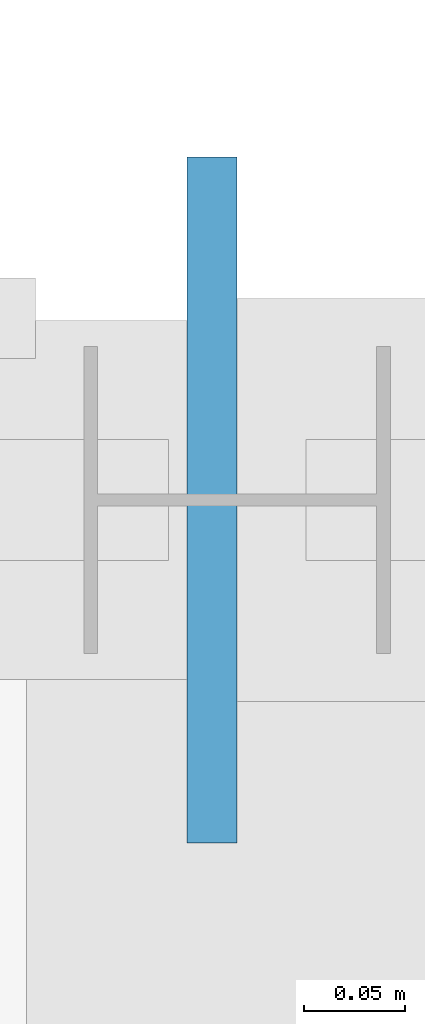
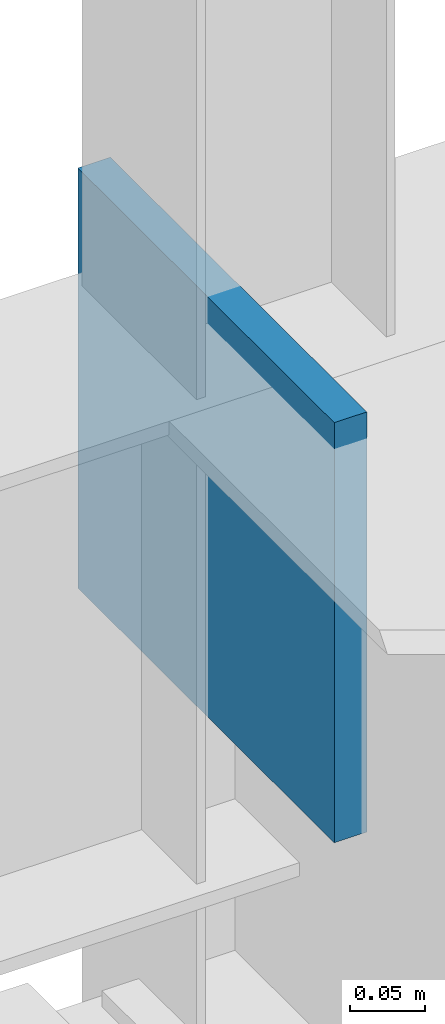
# One storey, part 175 of 226: 1 plate.
"""IFC4 building model written with IfcOpenShell, lengths in metres."""

import ifcopenshell
import ifcopenshell.guid

model = None  # the IFC model being written
_history = None  # IfcOwnerHistory: only IFC2X3 demands one
_inside = {}  # id of a spatial element -> (the spatial element, [elements in it])
_under = {}  # id of a project, library or spatial element -> (it, [spatial elements below it])
_declared = {}  # id of a project -> (the project, [libraries it declares])
_typed = {}  # id of a type object -> (the type object, [elements of that type])
_made_of = {}  # id of a material, layer set ... -> (it, [elements and type objects made of it])


def new_model(schema):
    """Start an empty IFC model of exactly this schema.

    Asked for "IFC4X3", IfcOpenShell would pick the latest addendum, in which some entities
    have other attributes; the version numbers below select the first issue.
    IFC2X3 requires an IfcOwnerHistory on every rooted entity: one is made here for all.
    """
    global model, _history
    if schema == "IFC4X3":
        model = ifcopenshell.file(schema_version=(4, 3, 0, 0))
    else:
        model = ifcopenshell.file(schema=schema)
    _inside.clear()
    _under.clear()
    _declared.clear()
    _typed.clear()
    _made_of.clear()
    _history = None
    if model.schema == "IFC2X3":
        org = make("IfcOrganization", Name="unknown")
        user = make(
            "IfcPersonAndOrganization",
            ThePerson=make("IfcPerson", FamilyName="unknown"),
            TheOrganization=org,
        )
        app = make(
            "IfcApplication",
            ApplicationDeveloper=org,
            Version="unknown",
            ApplicationFullName="unknown",
            ApplicationIdentifier="unknown",
        )
        _history = make(
            "IfcOwnerHistory",
            OwningUser=user,
            OwningApplication=app,
            ChangeAction="ADDED",
            CreationDate=0,
        )
    return model


def make(cls, **values):
    """One entity of the class cls with the attributes given. An attribute that is None is left unset."""
    return model.create_entity(
        cls, **{name: value for name, value in values.items() if value is not None}
    )


def rooted(cls, **values):
    """An entity with a GlobalId (a new one), such as an element, a storey or a relation."""
    return make(cls, GlobalId=ifcopenshell.guid.new(), OwnerHistory=_history, **values)


def si_unit(unit_type, name, prefix=None):
    """IfcSIUnit, for example si_unit("LENGTHUNIT", "METRE", prefix="MILLI")."""
    return make("IfcSIUnit", UnitType=unit_type, Prefix=prefix, Name=name)


def assignment(units):
    """IfcUnitAssignment: the units of a project."""
    return None if units is None else make("IfcUnitAssignment", Units=units)


def point(xyz):
    """IfcCartesianPoint."""
    return None if xyz is None else make("IfcCartesianPoint", Coordinates=xyz)


def direction(xyz):
    """IfcDirection."""
    return None if xyz is None else make("IfcDirection", DirectionRatios=xyz)


def frame(location, z_axis=None, x_axis=None):
    """IfcAxis2Placement3D, a coordinate frame: its origin and axes. An axis left out is left unset."""
    return make(
        "IfcAxis2Placement3D",
        Location=point(location),
        Axis=direction(z_axis),
        RefDirection=direction(x_axis),
    )


def frame_2d(location, x_axis=None):
    """IfcAxis2Placement2D, a coordinate frame in the plane: its origin and x axis."""
    return make(
        "IfcAxis2Placement2D", Location=point(location), RefDirection=direction(x_axis)
    )


def origin():
    """The frame at (0, 0, 0) with its axes left unset."""
    return frame((0.0, 0.0, 0.0))


def origin_2d():
    """The frame at (0, 0) in the plane with its x axis left unset."""
    return frame_2d((0.0, 0.0))


def place(relative_to, where):
    """IfcLocalPlacement: puts the frame where relative to a parent placement (None: the world)."""
    return make(
        "IfcLocalPlacement", PlacementRelTo=relative_to, RelativePlacement=where
    )


def context(
    kind, dimensions, precision=None, world=None, true_north=None, identifier=None
):
    """IfcGeometricRepresentationContext, for example the 3D "Model" context."""
    return make(
        "IfcGeometricRepresentationContext",
        ContextIdentifier=identifier,
        ContextType=kind,
        CoordinateSpaceDimension=dimensions,
        Precision=precision,
        WorldCoordinateSystem=world,
        TrueNorth=true_north,
    )


def subcontext(parent, identifier, kind, view, scale=None):
    """IfcGeometricRepresentationSubContext, for example "Body" below "Model"."""
    return make(
        "IfcGeometricRepresentationSubContext",
        ContextIdentifier=identifier,
        ContextType=kind,
        ParentContext=parent,
        TargetScale=scale,
        TargetView=view,
    )


def project(units=None, contexts=None):
    """IfcProject with its units and contexts."""
    return rooted(
        "IfcProject",
        Name="project",
        RepresentationContexts=contexts,
        UnitsInContext=assignment(units),
    )


def spatial(cls, under=None, at=None, **own):
    """A site, building, storey or space (cls), placed at a placement, below another one or the project."""
    s = rooted(cls, ObjectPlacement=at, **own)
    if under is not None:
        _under.setdefault(under.id(), (under, []))[1].append(s)
    return s


def profile(cls, at=None, kind="AREA", **sizes):
    """A parametric profile (cls). Its sizes go by their IFC names, for example OverallWidth=200.0."""
    return make(cls, ProfileType=kind, Position=at, **sizes)


def rectangle(**sizes):
    """IfcRectangleProfileDef."""
    return profile("IfcRectangleProfileDef", **sizes)


def extrude(swept, where, along, depth):
    """IfcExtrudedAreaSolid: the profile swept, set in the frame where, extruded along a direction by depth."""
    return make(
        "IfcExtrudedAreaSolid",
        SweptArea=swept,
        Position=where,
        ExtrudedDirection=direction(along),
        Depth=depth,
    )


def shape(context_of_items, identifier, shape_type, items):
    """IfcShapeRepresentation: the items that make up one representation, for example the "Body"."""
    return make(
        "IfcShapeRepresentation",
        ContextOfItems=context_of_items,
        RepresentationIdentifier=identifier,
        RepresentationType=shape_type,
        Items=items,
    )


def material(Name=None, Category=None):
    """IfcMaterial."""
    return make("IfcMaterial", Name=Name, Category=Category)


def layer(
    of_material, thickness, ventilated=None, Name=None, Category=None, Priority=None
):
    """IfcMaterialLayer: one layer of a wall or slab, of a material (None: an air gap)."""
    return make(
        "IfcMaterialLayer",
        Material=of_material,
        LayerThickness=thickness,
        IsVentilated=ventilated,
        Name=Name,
        Category=Category,
        Priority=Priority,
    )


def layer_set(layers, Name=None):
    """IfcMaterialLayerSet."""
    return make("IfcMaterialLayerSet", MaterialLayers=layers, LayerSetName=Name)


def made_of(thing, what):
    """Note that an element or type object is made of a material, layer set ...; save() writes the relation."""
    if what is not None:
        _made_of.setdefault(what.id(), (what, []))[1].append(thing)
    return thing


def type_object(cls, material=None, **own):
    """A type object (cls), such as IfcWallType, which elements share."""
    return made_of(rooted(cls, **own), material)


def element(
    cls,
    number,
    at=None,
    inside=None,
    cuts=None,
    type_object=None,
    material=None,
    context=None,
    identifier="Body",
    shape_type=None,
    held_by="IfcProductDefinitionShape",
    body=None,
    shapes=None,
    **own,
):
    """One element of the class cls, such as IfcWall. Its Tag is "e" and its number.

    at: its placement. inside: the storey or other place that contains it. cuts: it is an
    opening in that element (IfcRelVoidsElement). A single representation is given by context,
    identifier, shape_type and body (its items); several are given by shapes. held_by: the class
    of the entity that holds the representations. save() writes the other relations.
    """
    e = rooted(cls, Tag="e%d" % number, ObjectPlacement=at, **own)
    if body is not None:
        shapes = [shape(context, identifier, shape_type, body)]
    if shapes is not None:
        e.Representation = make(held_by, Representations=shapes)
    if inside is not None:
        _inside.setdefault(inside.id(), (inside, []))[1].append(e)
    if cuts is not None:
        rooted(
            "IfcRelVoidsElement", RelatingBuildingElement=cuts, RelatedOpeningElement=e
        )
    if type_object is not None:
        _typed.setdefault(type_object.id(), (type_object, []))[1].append(e)
    return made_of(e, material)


def aggregate(whole, parts):
    """IfcRelAggregates: a whole, such as a stair, and the parts it consists of."""
    return rooted("IfcRelAggregates", RelatingObject=whole, RelatedObjects=parts)


def save(model, path):
    """Write the relations noted so far, then the file.

    IfcRelAggregates (storeys below a building ...), IfcRelContainedInSpatialStructure (elements
    in a storey), IfcRelDefinesByType, IfcRelAssociatesMaterial and IfcRelDeclares: one each for
    every whole, place, type object, material and project.
    """
    for whole, parts in _under.values():
        aggregate(whole, parts)
    for where, things in _inside.values():
        rooted(
            "IfcRelContainedInSpatialStructure",
            RelatedElements=things,
            RelatingStructure=where,
        )
    for kind, things in _typed.values():
        rooted("IfcRelDefinesByType", RelatedObjects=things, RelatingType=kind)
    for what, things in _made_of.values():
        rooted("IfcRelAssociatesMaterial", RelatedObjects=things, RelatingMaterial=what)
    for by, libraries in _declared.values():
        rooted("IfcRelDeclares", RelatingContext=by, RelatedDefinitions=libraries)
    model.write(path)


model = new_model("IFC4")

# Units and contexts
model_context = context("Model", 3, precision=1e-05, world=origin(), true_north=direction((0.0, 1.0)))
body_context = subcontext(model_context, "Body", "Model", "MODEL_VIEW")
ifc_project = project(units=[si_unit("LENGTHUNIT", "METRE"), si_unit("AREAUNIT", "SQUARE_METRE"), si_unit("VOLUMEUNIT", "CUBIC_METRE"), si_unit("PLANEANGLEUNIT", "RADIAN"), si_unit("MASSUNIT", "GRAM", prefix="KILO")], contexts=[model_context])

# Site, building, storey
site_placement = place(None, origin())
site = spatial("IfcSite", under=ifc_project, at=site_placement, CompositionType="ELEMENT")
building_placement = place(site_placement, origin())
building = spatial("IfcBuilding", under=site, at=building_placement, Name="Tarnwether General Hospital", CompositionType="ELEMENT")
storey_placement = place(building_placement, frame((0.0, 0.0, 4.800048828125)))
storey = spatial("IfcBuildingStorey", under=building, at=storey_placement, Name="L01", CompositionType="ELEMENT", Elevation=4.800048828125)

# Plate
ifc_material = material(Name="Steel Grade 350 (350 MPa)", Category="steel")
ifc_layer = layer(ifc_material, 0.02490234375)
ifc_layer_set = layer_set([ifc_layer], Name="Steel Grade 350 (350 MPa)")
plate_type = type_object("IfcPlateType", Name="PT-GUS2", PredefinedType="USERDEFINED", material=ifc_layer_set)
plate_placement = place(storey_placement, frame((83.987548828125, 126.0, 4.125), z_axis=(0.0, 0.0, 1.0), x_axis=(1.0, 0.0, 0.0)))
element("IfcPlate", 1, at=plate_placement, inside=storey, type_object=plate_type, Name="Hollow Section Welded End Cap Plate 0923", ObjectType="GUSSET", PredefinedType="USERDEFINED", context=body_context, shape_type="SweptSolid", body=[
    extrude(rectangle(XDim=0.02490234375, YDim=0.340087890625, at=origin_2d()), origin(), (0.0, 0.0, 1.0), 0.340087890625),
])

save(model, "model.ifc")
